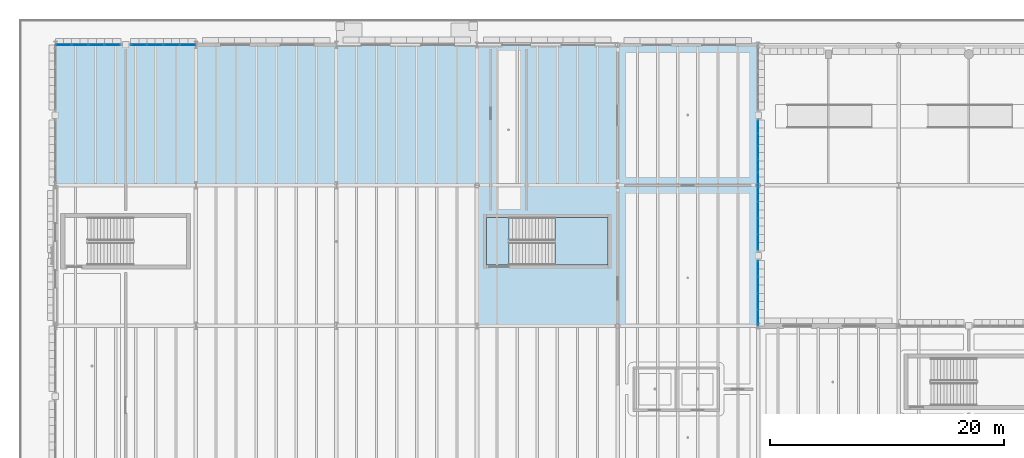
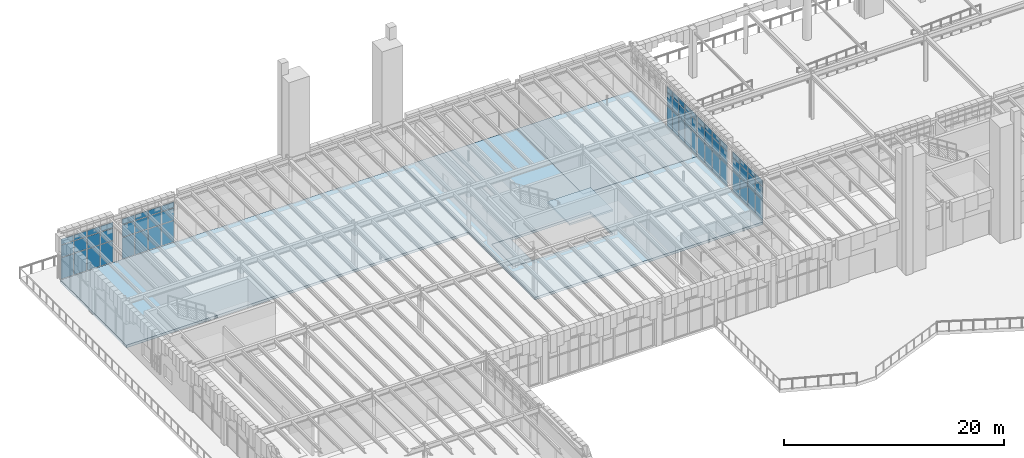
# One storey, part 44 of 103: 63 plates, 5 slabs, 6 elements without a shape of their own.
"""IFC4 building model written with IfcOpenShell, lengths in metres."""

from ifc_helpers import new_model, si_unit, direction, frame, origin, origin_2d, place, context, subcontext, project, spatial, polyline, rectangle, outline, extrude, material, layer, layer_set, type_object, element, aggregate, save


model = new_model("IFC4")

# Units and contexts
model_context = context("Model", 3, precision=1e-05, world=origin(), true_north=direction((0.0, 1.0)))
body_context = subcontext(model_context, "Body", "Model", "MODEL_VIEW")
ifc_project = project(units=[si_unit("LENGTHUNIT", "METRE"), si_unit("AREAUNIT", "SQUARE_METRE"), si_unit("VOLUMEUNIT", "CUBIC_METRE"), si_unit("PLANEANGLEUNIT", "RADIAN"), si_unit("MASSUNIT", "GRAM", prefix="KILO")], contexts=[model_context])

# Site, building, storey
site_placement = place(None, origin())
site = spatial("IfcSite", under=ifc_project, at=site_placement, CompositionType="ELEMENT")
building_placement = place(site_placement, origin())
building = spatial("IfcBuilding", under=site, at=building_placement, Name="Zlatogorsky Bluff Art Gallery", CompositionType="ELEMENT")
storey_placement = place(building_placement, origin())
storey = spatial("IfcBuildingStorey", under=building, at=storey_placement, Name="L00", CompositionType="ELEMENT", Elevation=0.0)

# Curtain wall, plates
ifc_material_1 = material(Name="Anodised Bronze Aluminium and Low-Iron Triple Glazing", Category="aluminium")
ifc_layer_1 = layer(ifc_material_1, 0.199951171875)
ifc_layer_set_1 = layer_set([ifc_layer_1], Name="Curtain Wall CW-02")
curtain_wall_type_1 = type_object("IfcCurtainWallType", Name="Curtain Wall CW-02", PredefinedType="USERDEFINED", material=ifc_layer_set_1)
curtain_wall_1_placement = place(storey_placement, origin())
curtain_wall_1 = element("IfcCurtainWall", 1, at=curtain_wall_1_placement, inside=storey, type_object=curtain_wall_type_1, Name="Unitised curtain wall CW-02 L00 N 0.10-A", ObjectType="CURTAIN WALL", PredefinedType="USERDEFINED")
ifc_material_2 = material(Name="Low-Iron Laminated Triple Glazing", Category="glass")
ifc_layer_2 = layer(ifc_material_2, 0.035888671875)
ifc_layer_set_2 = layer_set([ifc_layer_2], Name="Glazed Curtain Panel CWP-01")
plate_type = type_object("IfcPlateType", Name="Glazed Curtain Panel CWP-01", PredefinedType="CURTAIN_PANEL", material=ifc_layer_set_2)
plate_1_placement = place(storey_placement, frame((11.2861328125, 120.0, 0.06494140625), z_axis=(0.0, 0.0, 1.0), x_axis=(-1.0, 0.0, 0.0)))
plate_1 = element("IfcPlate", 2, at=plate_1_placement, type_object=plate_type, Name="CW-02 panel 1.1", PredefinedType="CURTAIN_PANEL", context=body_context, shape_type="SweptSolid", body=[
    extrude(rectangle(XDim=1.297607421875, YDim=0.035888671875, at=origin_2d()), origin(), (0.0, 0.0, 1.0), 2.3525390625),
])
plate_2_placement = place(storey_placement, frame((11.2861328125, 120.0, 2.482421875), z_axis=(0.0, 0.0, 1.0), x_axis=(-1.0, 0.0, 0.0)))
plate_2 = element("IfcPlate", 3, at=plate_2_placement, type_object=plate_type, Name="CW-02 panel 1.2", PredefinedType="CURTAIN_PANEL", context=body_context, shape_type="SweptSolid", body=[
    extrude(rectangle(XDim=1.297607421875, YDim=0.035888671875, at=origin_2d()), origin(), (0.0, 0.0, 1.0), 1.3349609375),
])
plate_3_placement = place(storey_placement, frame((11.2861328125, 120.0, 3.88232421875), z_axis=(0.0, 0.0, 1.0), x_axis=(-1.0, 0.0, 0.0)))
plate_3 = element("IfcPlate", 4, at=plate_3_placement, type_object=plate_type, Name="CW-02 panel 1.3", PredefinedType="CURTAIN_PANEL", context=body_context, shape_type="SweptSolid", body=[
    extrude(rectangle(XDim=1.297607421875, YDim=0.035888671875, at=origin_2d()), origin(), (0.0, 0.0, 1.0), 0.612548828125),
])
plate_4_placement = place(storey_placement, frame((9.907470703125, 120.0, 0.06494140625), z_axis=(0.0, 0.0, 1.0), x_axis=(-1.0, 0.0, 0.0)))
plate_4 = element("IfcPlate", 5, at=plate_4_placement, type_object=plate_type, Name="CW-02 panel 2.1", PredefinedType="CURTAIN_PANEL", context=body_context, shape_type="SweptSolid", body=[
    extrude(rectangle(XDim=1.330078125, YDim=0.035888671875, at=origin_2d()), origin(), (0.0, 0.0, 1.0), 2.3525390625),
])
plate_5_placement = place(storey_placement, frame((9.907470703125, 120.0, 2.482421875), z_axis=(0.0, 0.0, 1.0), x_axis=(-1.0, 0.0, 0.0)))
plate_5 = element("IfcPlate", 6, at=plate_5_placement, type_object=plate_type, Name="CW-02 panel 2.2", PredefinedType="CURTAIN_PANEL", context=body_context, shape_type="SweptSolid", body=[
    extrude(rectangle(XDim=1.330078125, YDim=0.035888671875, at=origin_2d()), origin(), (0.0, 0.0, 1.0), 1.3349609375),
])
plate_6_placement = place(storey_placement, frame((9.907470703125, 120.0, 3.88232421875), z_axis=(0.0, 0.0, 1.0), x_axis=(-1.0, 0.0, 0.0)))
plate_6 = element("IfcPlate", 7, at=plate_6_placement, type_object=plate_type, Name="CW-02 panel 2.3", PredefinedType="CURTAIN_PANEL", context=body_context, shape_type="SweptSolid", body=[
    extrude(rectangle(XDim=1.330078125, YDim=0.035888671875, at=origin_2d()), origin(), (0.0, 0.0, 1.0), 0.612548828125),
])
plate_7_placement = place(storey_placement, frame((8.512451171875, 120.0, 0.06494140625), z_axis=(0.0, 0.0, 1.0), x_axis=(-1.0, 0.0, 0.0)))
plate_7 = element("IfcPlate", 8, at=plate_7_placement, type_object=plate_type, Name="CW-02 panel 3.1", PredefinedType="CURTAIN_PANEL", context=body_context, shape_type="SweptSolid", body=[
    extrude(rectangle(XDim=1.330078125, YDim=0.035888671875, at=origin_2d()), origin(), (0.0, 0.0, 1.0), 2.3525390625),
])
plate_8_placement = place(storey_placement, frame((8.512451171875, 120.0, 2.482421875), z_axis=(0.0, 0.0, 1.0), x_axis=(-1.0, 0.0, 0.0)))
plate_8 = element("IfcPlate", 9, at=plate_8_placement, type_object=plate_type, Name="CW-02 panel 3.2", PredefinedType="CURTAIN_PANEL", context=body_context, shape_type="SweptSolid", body=[
    extrude(rectangle(XDim=1.330078125, YDim=0.035888671875, at=origin_2d()), origin(), (0.0, 0.0, 1.0), 1.3349609375),
])
plate_9_placement = place(storey_placement, frame((8.512451171875, 120.0, 3.88232421875), z_axis=(0.0, 0.0, 1.0), x_axis=(-1.0, 0.0, 0.0)))
plate_9 = element("IfcPlate", 10, at=plate_9_placement, type_object=plate_type, Name="CW-02 panel 3.3", PredefinedType="CURTAIN_PANEL", context=body_context, shape_type="SweptSolid", body=[
    extrude(rectangle(XDim=1.330078125, YDim=0.035888671875, at=origin_2d()), origin(), (0.0, 0.0, 1.0), 0.612548828125),
])
plate_10_placement = place(storey_placement, frame((7.1337890625, 120.0, 0.06494140625), z_axis=(0.0, 0.0, 1.0), x_axis=(-1.0, 0.0, 0.0)))
plate_10 = element("IfcPlate", 11, at=plate_10_placement, type_object=plate_type, Name="CW-02 panel 4.1", PredefinedType="CURTAIN_PANEL", context=body_context, shape_type="SweptSolid", body=[
    extrude(rectangle(XDim=1.297607421875, YDim=0.035888671875, at=origin_2d()), origin(), (0.0, 0.0, 1.0), 2.3525390625),
])
plate_11_placement = place(storey_placement, frame((7.1337890625, 120.0, 2.482421875), z_axis=(0.0, 0.0, 1.0), x_axis=(-1.0, 0.0, 0.0)))
plate_11 = element("IfcPlate", 12, at=plate_11_placement, type_object=plate_type, Name="CW-02 panel 4.2", PredefinedType="CURTAIN_PANEL", context=body_context, shape_type="SweptSolid", body=[
    extrude(rectangle(XDim=1.297607421875, YDim=0.035888671875, at=origin_2d()), origin(), (0.0, 0.0, 1.0), 1.3349609375),
])
plate_12_placement = place(storey_placement, frame((7.1337890625, 120.0, 3.88232421875), z_axis=(0.0, 0.0, 1.0), x_axis=(-1.0, 0.0, 0.0)))
plate_12 = element("IfcPlate", 13, at=plate_12_placement, type_object=plate_type, Name="CW-02 panel 4.3", PredefinedType="CURTAIN_PANEL", context=body_context, shape_type="SweptSolid", body=[
    extrude(rectangle(XDim=1.297607421875, YDim=0.035888671875, at=origin_2d()), origin(), (0.0, 0.0, 1.0), 0.612548828125),
])
aggregate(curtain_wall_1, [plate_1, plate_2, plate_3, plate_4, plate_5, plate_6, plate_7, plate_8, plate_9, plate_10, plate_11, plate_12])

curtain_wall_2_placement = place(storey_placement, origin())
curtain_wall_2 = element("IfcCurtainWall", 14, at=curtain_wall_2_placement, inside=storey, type_object=curtain_wall_type_1, Name="Unitised curtain wall CW-02 L00 N 0.10-B", ObjectType="CURTAIN WALL", PredefinedType="USERDEFINED")
plate_13_placement = place(storey_placement, frame((4.8662109375, 120.0, 0.06494140625), z_axis=(0.0, 0.0, 1.0), x_axis=(-1.0, 0.0, 0.0)))
plate_13 = element("IfcPlate", 15, at=plate_13_placement, type_object=plate_type, Name="CW-02 panel 1.1", PredefinedType="CURTAIN_PANEL", context=body_context, shape_type="SweptSolid", body=[
    extrude(rectangle(XDim=1.297607421875, YDim=0.035888671875, at=origin_2d()), origin(), (0.0, 0.0, 1.0), 2.3525390625),
])
plate_14_placement = place(storey_placement, frame((4.8662109375, 120.0, 2.482421875), z_axis=(0.0, 0.0, 1.0), x_axis=(-1.0, 0.0, 0.0)))
plate_14 = element("IfcPlate", 16, at=plate_14_placement, type_object=plate_type, Name="CW-02 panel 1.2", PredefinedType="CURTAIN_PANEL", context=body_context, shape_type="SweptSolid", body=[
    extrude(rectangle(XDim=1.297607421875, YDim=0.035888671875, at=origin_2d()), origin(), (0.0, 0.0, 1.0), 1.3349609375),
])
plate_15_placement = place(storey_placement, frame((4.8662109375, 120.0, 3.88232421875), z_axis=(0.0, 0.0, 1.0), x_axis=(-1.0, 0.0, 0.0)))
plate_15 = element("IfcPlate", 17, at=plate_15_placement, type_object=plate_type, Name="CW-02 panel 1.3", PredefinedType="CURTAIN_PANEL", context=body_context, shape_type="SweptSolid", body=[
    extrude(rectangle(XDim=1.297607421875, YDim=0.035888671875, at=origin_2d()), origin(), (0.0, 0.0, 1.0), 0.612548828125),
])
plate_16_placement = place(storey_placement, frame((3.487548828125, 120.0, 0.06494140625), z_axis=(0.0, 0.0, 1.0), x_axis=(-1.0, 0.0, 0.0)))
plate_16 = element("IfcPlate", 18, at=plate_16_placement, type_object=plate_type, Name="CW-02 panel 2.1", PredefinedType="CURTAIN_PANEL", context=body_context, shape_type="SweptSolid", body=[
    extrude(rectangle(XDim=1.330078125, YDim=0.035888671875, at=origin_2d()), origin(), (0.0, 0.0, 1.0), 2.3525390625),
])
plate_17_placement = place(storey_placement, frame((3.487548828125, 120.0, 2.482421875), z_axis=(0.0, 0.0, 1.0), x_axis=(-1.0, 0.0, 0.0)))
plate_17 = element("IfcPlate", 19, at=plate_17_placement, type_object=plate_type, Name="CW-02 panel 2.2", PredefinedType="CURTAIN_PANEL", context=body_context, shape_type="SweptSolid", body=[
    extrude(rectangle(XDim=1.330078125, YDim=0.035888671875, at=origin_2d()), origin(), (0.0, 0.0, 1.0), 1.3349609375),
])
plate_18_placement = place(storey_placement, frame((3.487548828125, 120.0, 3.88232421875), z_axis=(0.0, 0.0, 1.0), x_axis=(-1.0, 0.0, 0.0)))
plate_18 = element("IfcPlate", 20, at=plate_18_placement, type_object=plate_type, Name="CW-02 panel 2.3", PredefinedType="CURTAIN_PANEL", context=body_context, shape_type="SweptSolid", body=[
    extrude(rectangle(XDim=1.330078125, YDim=0.035888671875, at=origin_2d()), origin(), (0.0, 0.0, 1.0), 0.612548828125),
])
plate_19_placement = place(storey_placement, frame((2.092529296875, 120.0, 0.06494140625), z_axis=(0.0, 0.0, 1.0), x_axis=(-1.0, 0.0, 0.0)))
plate_19 = element("IfcPlate", 21, at=plate_19_placement, type_object=plate_type, Name="CW-02 panel 3.1", PredefinedType="CURTAIN_PANEL", context=body_context, shape_type="SweptSolid", body=[
    extrude(rectangle(XDim=1.330078125, YDim=0.035888671875, at=origin_2d()), origin(), (0.0, 0.0, 1.0), 2.3525390625),
])
plate_20_placement = place(storey_placement, frame((2.092529296875, 120.0, 2.482421875), z_axis=(0.0, 0.0, 1.0), x_axis=(-1.0, 0.0, 0.0)))
plate_20 = element("IfcPlate", 22, at=plate_20_placement, type_object=plate_type, Name="CW-02 panel 3.2", PredefinedType="CURTAIN_PANEL", context=body_context, shape_type="SweptSolid", body=[
    extrude(rectangle(XDim=1.330078125, YDim=0.035888671875, at=origin_2d()), origin(), (0.0, 0.0, 1.0), 1.3349609375),
])
plate_21_placement = place(storey_placement, frame((2.092529296875, 120.0, 3.88232421875), z_axis=(0.0, 0.0, 1.0), x_axis=(-1.0, 0.0, 0.0)))
plate_21 = element("IfcPlate", 23, at=plate_21_placement, type_object=plate_type, Name="CW-02 panel 3.3", PredefinedType="CURTAIN_PANEL", context=body_context, shape_type="SweptSolid", body=[
    extrude(rectangle(XDim=1.330078125, YDim=0.035888671875, at=origin_2d()), origin(), (0.0, 0.0, 1.0), 0.612548828125),
])
plate_22_placement = place(storey_placement, frame((0.7138671875, 120.0, 0.06494140625), z_axis=(0.0, 0.0, 1.0), x_axis=(-1.0, 0.0, 0.0)))
plate_22 = element("IfcPlate", 24, at=plate_22_placement, type_object=plate_type, Name="CW-02 panel 4.1", PredefinedType="CURTAIN_PANEL", context=body_context, shape_type="SweptSolid", body=[
    extrude(rectangle(XDim=1.297607421875, YDim=0.035888671875, at=origin_2d()), origin(), (0.0, 0.0, 1.0), 2.3525390625),
])
plate_23_placement = place(storey_placement, frame((0.7138671875, 120.0, 2.482421875), z_axis=(0.0, 0.0, 1.0), x_axis=(-1.0, 0.0, 0.0)))
plate_23 = element("IfcPlate", 25, at=plate_23_placement, type_object=plate_type, Name="CW-02 panel 4.2", PredefinedType="CURTAIN_PANEL", context=body_context, shape_type="SweptSolid", body=[
    extrude(rectangle(XDim=1.297607421875, YDim=0.035888671875, at=origin_2d()), origin(), (0.0, 0.0, 1.0), 1.3349609375),
])
plate_24_placement = place(storey_placement, frame((0.7138671875, 120.0, 3.88232421875), z_axis=(0.0, 0.0, 1.0), x_axis=(-1.0, 0.0, 0.0)))
plate_24 = element("IfcPlate", 26, at=plate_24_placement, type_object=plate_type, Name="CW-02 panel 4.3", PredefinedType="CURTAIN_PANEL", context=body_context, shape_type="SweptSolid", body=[
    extrude(rectangle(XDim=1.297607421875, YDim=0.035888671875, at=origin_2d()), origin(), (0.0, 0.0, 1.0), 0.612548828125),
])
aggregate(curtain_wall_2, [plate_13, plate_14, plate_15, plate_16, plate_17, plate_18, plate_19, plate_20, plate_21, plate_22, plate_23, plate_24])

ifc_layer_3 = layer(ifc_material_1, 0.179931640625)
ifc_layer_set_3 = layer_set([ifc_layer_3], Name="Curtain Wall CW-01")
curtain_wall_type_2 = type_object("IfcCurtainWallType", Name="Curtain Wall CW-01", PredefinedType="USERDEFINED", material=ifc_layer_set_3)
curtain_wall_3_placement = place(storey_placement, origin())
curtain_wall_3 = element("IfcCurtainWall", 27, at=curtain_wall_3_placement, inside=storey, type_object=curtain_wall_type_2, Name="Unitised curtain wall CW-01 L00 E 4.9-A", ObjectType="CURTAIN WALL", PredefinedType="USERDEFINED")
plate_25_placement = place(storey_placement, frame((60.0, 96.7138671875, 0.06494140625), z_axis=(0.0, 0.0, 1.0), x_axis=(0.0, 1.0, 0.0)))
plate_25 = element("IfcPlate", 28, at=plate_25_placement, type_object=plate_type, Name="CW-01 panel 1.1", PredefinedType="CURTAIN_PANEL", context=body_context, shape_type="SweptSolid", body=[
    extrude(rectangle(XDim=1.297607421875, YDim=0.035888671875, at=origin_2d()), origin(), (0.0, 0.0, 1.0), 2.3525390625),
])
plate_26_placement = place(storey_placement, frame((60.0, 96.7138671875, 2.482421875), z_axis=(0.0, 0.0, 1.0), x_axis=(0.0, 1.0, 0.0)))
plate_26 = element("IfcPlate", 29, at=plate_26_placement, type_object=plate_type, Name="CW-01 panel 1.2", PredefinedType="CURTAIN_PANEL", context=body_context, shape_type="SweptSolid", body=[
    extrude(rectangle(XDim=1.297607421875, YDim=0.035888671875, at=origin_2d()), origin(), (0.0, 0.0, 1.0), 1.3349609375),
])
plate_27_placement = place(storey_placement, frame((60.0, 96.7138671875, 3.88232421875), z_axis=(0.0, 0.0, 1.0), x_axis=(0.0, 1.0, 0.0)))
plate_27 = element("IfcPlate", 30, at=plate_27_placement, type_object=plate_type, Name="CW-01 panel 1.3", PredefinedType="CURTAIN_PANEL", context=body_context, shape_type="SweptSolid", body=[
    extrude(rectangle(XDim=1.297607421875, YDim=0.035888671875, at=origin_2d()), origin(), (0.0, 0.0, 1.0), 0.612548828125),
])
plate_28_placement = place(storey_placement, frame((60.0, 98.092529296875, 0.06494140625), z_axis=(0.0, 0.0, 1.0), x_axis=(0.0, 1.0, 0.0)))
plate_28 = element("IfcPlate", 31, at=plate_28_placement, type_object=plate_type, Name="CW-01 panel 2.1", PredefinedType="CURTAIN_PANEL", context=body_context, shape_type="SweptSolid", body=[
    extrude(rectangle(XDim=1.330078125, YDim=0.035888671875, at=origin_2d()), origin(), (0.0, 0.0, 1.0), 2.3525390625),
])
plate_29_placement = place(storey_placement, frame((60.0, 98.092529296875, 2.482421875), z_axis=(0.0, 0.0, 1.0), x_axis=(0.0, 1.0, 0.0)))
plate_29 = element("IfcPlate", 32, at=plate_29_placement, type_object=plate_type, Name="CW-01 panel 2.2", PredefinedType="CURTAIN_PANEL", context=body_context, shape_type="SweptSolid", body=[
    extrude(rectangle(XDim=1.330078125, YDim=0.035888671875, at=origin_2d()), origin(), (0.0, 0.0, 1.0), 1.3349609375),
])
plate_30_placement = place(storey_placement, frame((60.0, 98.092529296875, 3.88232421875), z_axis=(0.0, 0.0, 1.0), x_axis=(0.0, 1.0, 0.0)))
plate_30 = element("IfcPlate", 33, at=plate_30_placement, type_object=plate_type, Name="CW-01 panel 2.3", PredefinedType="CURTAIN_PANEL", context=body_context, shape_type="SweptSolid", body=[
    extrude(rectangle(XDim=1.330078125, YDim=0.035888671875, at=origin_2d()), origin(), (0.0, 0.0, 1.0), 0.612548828125),
])
plate_31_placement = place(storey_placement, frame((60.0, 99.487548828125, 0.06494140625), z_axis=(0.0, 0.0, 1.0), x_axis=(0.0, 1.0, 0.0)))
plate_31 = element("IfcPlate", 34, at=plate_31_placement, type_object=plate_type, Name="CW-01 panel 3.1", PredefinedType="CURTAIN_PANEL", context=body_context, shape_type="SweptSolid", body=[
    extrude(rectangle(XDim=1.330078125, YDim=0.035888671875, at=origin_2d()), origin(), (0.0, 0.0, 1.0), 2.3525390625),
])
plate_32_placement = place(storey_placement, frame((60.0, 99.487548828125, 2.482421875), z_axis=(0.0, 0.0, 1.0), x_axis=(0.0, 1.0, 0.0)))
plate_32 = element("IfcPlate", 35, at=plate_32_placement, type_object=plate_type, Name="CW-01 panel 3.2", PredefinedType="CURTAIN_PANEL", context=body_context, shape_type="SweptSolid", body=[
    extrude(rectangle(XDim=1.330078125, YDim=0.035888671875, at=origin_2d()), origin(), (0.0, 0.0, 1.0), 1.3349609375),
])
plate_33_placement = place(storey_placement, frame((60.0, 99.487548828125, 3.88232421875), z_axis=(0.0, 0.0, 1.0), x_axis=(0.0, 1.0, 0.0)))
plate_33 = element("IfcPlate", 36, at=plate_33_placement, type_object=plate_type, Name="CW-01 panel 3.3", PredefinedType="CURTAIN_PANEL", context=body_context, shape_type="SweptSolid", body=[
    extrude(rectangle(XDim=1.330078125, YDim=0.035888671875, at=origin_2d()), origin(), (0.0, 0.0, 1.0), 0.612548828125),
])
plate_34_placement = place(storey_placement, frame((60.0, 100.8662109375, 0.06494140625), z_axis=(0.0, 0.0, 1.0), x_axis=(0.0, 1.0, 0.0)))
plate_34 = element("IfcPlate", 37, at=plate_34_placement, type_object=plate_type, Name="CW-01 panel 4.1", PredefinedType="CURTAIN_PANEL", context=body_context, shape_type="SweptSolid", body=[
    extrude(rectangle(XDim=1.297607421875, YDim=0.035888671875, at=origin_2d()), origin(), (0.0, 0.0, 1.0), 2.3525390625),
])
plate_35_placement = place(storey_placement, frame((60.0, 100.8662109375, 2.482421875), z_axis=(0.0, 0.0, 1.0), x_axis=(0.0, 1.0, 0.0)))
plate_35 = element("IfcPlate", 38, at=plate_35_placement, type_object=plate_type, Name="CW-01 panel 4.2", PredefinedType="CURTAIN_PANEL", context=body_context, shape_type="SweptSolid", body=[
    extrude(rectangle(XDim=1.297607421875, YDim=0.035888671875, at=origin_2d()), origin(), (0.0, 0.0, 1.0), 1.3349609375),
])
plate_36_placement = place(storey_placement, frame((60.0, 100.8662109375, 3.88232421875), z_axis=(0.0, 0.0, 1.0), x_axis=(0.0, 1.0, 0.0)))
plate_36 = element("IfcPlate", 39, at=plate_36_placement, type_object=plate_type, Name="CW-01 panel 4.3", PredefinedType="CURTAIN_PANEL", context=body_context, shape_type="SweptSolid", body=[
    extrude(rectangle(XDim=1.297607421875, YDim=0.035888671875, at=origin_2d()), origin(), (0.0, 0.0, 1.0), 0.612548828125),
])
aggregate(curtain_wall_3, [plate_25, plate_26, plate_27, plate_28, plate_29, plate_30, plate_31, plate_32, plate_33, plate_34, plate_35, plate_36])

curtain_wall_4_placement = place(storey_placement, origin())
curtain_wall_4 = element("IfcCurtainWall", 40, at=curtain_wall_4_placement, inside=storey, type_object=curtain_wall_type_2, Name="Unitised curtain wall CW-01 L00 E 4.9-B", ObjectType="CURTAIN WALL", PredefinedType="USERDEFINED")
plate_37_placement = place(storey_placement, frame((60.0, 103.1337890625, 0.06494140625), z_axis=(0.0, 0.0, 1.0), x_axis=(0.0, 1.0, 0.0)))
plate_37 = element("IfcPlate", 41, at=plate_37_placement, type_object=plate_type, Name="CW-01 panel 1.1", PredefinedType="CURTAIN_PANEL", context=body_context, shape_type="SweptSolid", body=[
    extrude(rectangle(XDim=1.297607421875, YDim=0.035888671875, at=origin_2d()), origin(), (0.0, 0.0, 1.0), 2.3525390625),
])
plate_38_placement = place(storey_placement, frame((60.0, 103.1337890625, 2.482421875), z_axis=(0.0, 0.0, 1.0), x_axis=(0.0, 1.0, 0.0)))
plate_38 = element("IfcPlate", 42, at=plate_38_placement, type_object=plate_type, Name="CW-01 panel 1.2", PredefinedType="CURTAIN_PANEL", context=body_context, shape_type="SweptSolid", body=[
    extrude(rectangle(XDim=1.297607421875, YDim=0.035888671875, at=origin_2d()), origin(), (0.0, 0.0, 1.0), 1.3349609375),
])
plate_39_placement = place(storey_placement, frame((60.0, 103.1337890625, 3.88232421875), z_axis=(0.0, 0.0, 1.0), x_axis=(0.0, 1.0, 0.0)))
plate_39 = element("IfcPlate", 43, at=plate_39_placement, type_object=plate_type, Name="CW-01 panel 1.3", PredefinedType="CURTAIN_PANEL", context=body_context, shape_type="SweptSolid", body=[
    extrude(rectangle(XDim=1.297607421875, YDim=0.035888671875, at=origin_2d()), origin(), (0.0, 0.0, 1.0), 0.612548828125),
])
plate_40_placement = place(storey_placement, frame((60.0, 104.512451171875, 0.06494140625), z_axis=(0.0, 0.0, 1.0), x_axis=(0.0, 1.0, 0.0)))
plate_40 = element("IfcPlate", 44, at=plate_40_placement, type_object=plate_type, Name="CW-01 panel 2.1", PredefinedType="CURTAIN_PANEL", context=body_context, shape_type="SweptSolid", body=[
    extrude(rectangle(XDim=1.330078125, YDim=0.035888671875, at=origin_2d()), origin(), (0.0, 0.0, 1.0), 2.3525390625),
])
plate_41_placement = place(storey_placement, frame((60.0, 104.512451171875, 2.482421875), z_axis=(0.0, 0.0, 1.0), x_axis=(0.0, 1.0, 0.0)))
plate_41 = element("IfcPlate", 45, at=plate_41_placement, type_object=plate_type, Name="CW-01 panel 2.2", PredefinedType="CURTAIN_PANEL", context=body_context, shape_type="SweptSolid", body=[
    extrude(rectangle(XDim=1.330078125, YDim=0.035888671875, at=origin_2d()), origin(), (0.0, 0.0, 1.0), 1.3349609375),
])
plate_42_placement = place(storey_placement, frame((60.0, 104.512451171875, 3.88232421875), z_axis=(0.0, 0.0, 1.0), x_axis=(0.0, 1.0, 0.0)))
plate_42 = element("IfcPlate", 46, at=plate_42_placement, type_object=plate_type, Name="CW-01 panel 2.3", PredefinedType="CURTAIN_PANEL", context=body_context, shape_type="SweptSolid", body=[
    extrude(rectangle(XDim=1.330078125, YDim=0.035888671875, at=origin_2d()), origin(), (0.0, 0.0, 1.0), 0.612548828125),
])
plate_43_placement = place(storey_placement, frame((60.0, 105.907470703125, 0.06494140625), z_axis=(0.0, 0.0, 1.0), x_axis=(0.0, 1.0, 0.0)))
plate_43 = element("IfcPlate", 47, at=plate_43_placement, type_object=plate_type, Name="CW-01 panel 3.1", PredefinedType="CURTAIN_PANEL", context=body_context, shape_type="SweptSolid", body=[
    extrude(rectangle(XDim=1.330078125, YDim=0.035888671875, at=origin_2d()), origin(), (0.0, 0.0, 1.0), 2.3525390625),
])
plate_44_placement = place(storey_placement, frame((60.0, 105.907470703125, 2.482421875), z_axis=(0.0, 0.0, 1.0), x_axis=(0.0, 1.0, 0.0)))
plate_44 = element("IfcPlate", 48, at=plate_44_placement, type_object=plate_type, Name="CW-01 panel 3.2", PredefinedType="CURTAIN_PANEL", context=body_context, shape_type="SweptSolid", body=[
    extrude(rectangle(XDim=1.330078125, YDim=0.035888671875, at=origin_2d()), origin(), (0.0, 0.0, 1.0), 1.3349609375),
])
plate_45_placement = place(storey_placement, frame((60.0, 105.907470703125, 3.88232421875), z_axis=(0.0, 0.0, 1.0), x_axis=(0.0, 1.0, 0.0)))
plate_45 = element("IfcPlate", 49, at=plate_45_placement, type_object=plate_type, Name="CW-01 panel 3.3", PredefinedType="CURTAIN_PANEL", context=body_context, shape_type="SweptSolid", body=[
    extrude(rectangle(XDim=1.330078125, YDim=0.035888671875, at=origin_2d()), origin(), (0.0, 0.0, 1.0), 0.612548828125),
])
plate_46_placement = place(storey_placement, frame((60.0, 107.2861328125, 0.06494140625), z_axis=(0.0, 0.0, 1.0), x_axis=(0.0, 1.0, 0.0)))
plate_46 = element("IfcPlate", 50, at=plate_46_placement, type_object=plate_type, Name="CW-01 panel 4.1", PredefinedType="CURTAIN_PANEL", context=body_context, shape_type="SweptSolid", body=[
    extrude(rectangle(XDim=1.297607421875, YDim=0.035888671875, at=origin_2d()), origin(), (0.0, 0.0, 1.0), 2.3525390625),
])
plate_47_placement = place(storey_placement, frame((60.0, 107.2861328125, 2.482421875), z_axis=(0.0, 0.0, 1.0), x_axis=(0.0, 1.0, 0.0)))
plate_47 = element("IfcPlate", 51, at=plate_47_placement, type_object=plate_type, Name="CW-01 panel 4.2", PredefinedType="CURTAIN_PANEL", context=body_context, shape_type="SweptSolid", body=[
    extrude(rectangle(XDim=1.297607421875, YDim=0.035888671875, at=origin_2d()), origin(), (0.0, 0.0, 1.0), 1.3349609375),
])
plate_48_placement = place(storey_placement, frame((60.0, 107.2861328125, 3.88232421875), z_axis=(0.0, 0.0, 1.0), x_axis=(0.0, 1.0, 0.0)))
plate_48 = element("IfcPlate", 52, at=plate_48_placement, type_object=plate_type, Name="CW-01 panel 4.3", PredefinedType="CURTAIN_PANEL", context=body_context, shape_type="SweptSolid", body=[
    extrude(rectangle(XDim=1.297607421875, YDim=0.035888671875, at=origin_2d()), origin(), (0.0, 0.0, 1.0), 0.612548828125),
])
aggregate(curtain_wall_4, [plate_37, plate_38, plate_39, plate_40, plate_41, plate_42, plate_43, plate_44, plate_45, plate_46, plate_47, plate_48])

ifc_layer_4 = layer(ifc_material_1, 0.179931640625)
ifc_layer_set_4 = layer_set([ifc_layer_4], Name="Curtain Wall CW-03")
curtain_wall_type_3 = type_object("IfcCurtainWallType", Name="Curtain Wall CW-03", PredefinedType="USERDEFINED", material=ifc_layer_set_4)
curtain_wall_5_placement = place(storey_placement, origin())
curtain_wall_5 = element("IfcCurtainWall", 53, at=curtain_wall_5_placement, inside=storey, type_object=curtain_wall_type_3, Name="Unitised curtain wall CW-03 L00 E 4.10-A", ObjectType="CURTAIN WALL", PredefinedType="USERDEFINED")
plate_49_placement = place(storey_placement, frame((60.0, 108.57421875, 0.06494140625), z_axis=(0.0, 0.0, 1.0), x_axis=(0.0, 1.0, 0.0)))
plate_49 = element("IfcPlate", 54, at=plate_49_placement, type_object=plate_type, Name="CW-03 panel 1.1", PredefinedType="CURTAIN_PANEL", context=body_context, shape_type="SweptSolid", body=[
    extrude(rectangle(XDim=1.0185546875, YDim=0.035888671875, at=origin_2d()), origin(), (0.0, 0.0, 1.0), 2.3525390625),
])
plate_50_placement = place(storey_placement, frame((60.0, 108.57421875, 2.482421875), z_axis=(0.0, 0.0, 1.0), x_axis=(0.0, 1.0, 0.0)))
plate_50 = element("IfcPlate", 55, at=plate_50_placement, type_object=plate_type, Name="CW-03 panel 1.2", PredefinedType="CURTAIN_PANEL", context=body_context, shape_type="SweptSolid", body=[
    extrude(rectangle(XDim=1.0185546875, YDim=0.035888671875, at=origin_2d()), origin(), (0.0, 0.0, 1.0), 1.3349609375),
])
plate_51_placement = place(storey_placement, frame((60.0, 108.57421875, 3.88232421875), z_axis=(0.0, 0.0, 1.0), x_axis=(0.0, 1.0, 0.0)))
plate_51 = element("IfcPlate", 56, at=plate_51_placement, type_object=plate_type, Name="CW-03 panel 1.3", PredefinedType="CURTAIN_PANEL", context=body_context, shape_type="SweptSolid", body=[
    extrude(rectangle(XDim=1.0185546875, YDim=0.035888671875, at=origin_2d()), origin(), (0.0, 0.0, 1.0), 0.612548828125),
])
plate_52_placement = place(storey_placement, frame((60.0, 109.674072265625, 0.06494140625), z_axis=(0.0, 0.0, 1.0), x_axis=(0.0, 1.0, 0.0)))
plate_52 = element("IfcPlate", 57, at=plate_52_placement, type_object=plate_type, Name="CW-03 panel 2.1", PredefinedType="CURTAIN_PANEL", context=body_context, shape_type="SweptSolid", body=[
    extrude(rectangle(XDim=1.051025390625, YDim=0.035888671875, at=origin_2d()), origin(), (0.0, 0.0, 1.0), 2.3525390625),
])
plate_53_placement = place(storey_placement, frame((60.0, 109.674072265625, 2.482421875), z_axis=(0.0, 0.0, 1.0), x_axis=(0.0, 1.0, 0.0)))
plate_53 = element("IfcPlate", 58, at=plate_53_placement, type_object=plate_type, Name="CW-03 panel 2.2", PredefinedType="CURTAIN_PANEL", context=body_context, shape_type="SweptSolid", body=[
    extrude(rectangle(XDim=1.051025390625, YDim=0.035888671875, at=origin_2d()), origin(), (0.0, 0.0, 1.0), 1.3349609375),
])
plate_54_placement = place(storey_placement, frame((60.0, 109.674072265625, 3.88232421875), z_axis=(0.0, 0.0, 1.0), x_axis=(0.0, 1.0, 0.0)))
plate_54 = element("IfcPlate", 59, at=plate_54_placement, type_object=plate_type, Name="CW-03 panel 2.3", PredefinedType="CURTAIN_PANEL", context=body_context, shape_type="SweptSolid", body=[
    extrude(rectangle(XDim=1.051025390625, YDim=0.035888671875, at=origin_2d()), origin(), (0.0, 0.0, 1.0), 0.612548828125),
])
plate_55_placement = place(storey_placement, frame((60.0, 110.7900390625, 0.06494140625), z_axis=(0.0, 0.0, 1.0), x_axis=(0.0, 1.0, 0.0)))
plate_55 = element("IfcPlate", 60, at=plate_55_placement, type_object=plate_type, Name="CW-03 panel 3.1", PredefinedType="CURTAIN_PANEL", context=body_context, shape_type="SweptSolid", body=[
    extrude(rectangle(XDim=1.051025390625, YDim=0.035888671875, at=origin_2d()), origin(), (0.0, 0.0, 1.0), 2.3525390625),
])
plate_56_placement = place(storey_placement, frame((60.0, 110.7900390625, 2.482421875), z_axis=(0.0, 0.0, 1.0), x_axis=(0.0, 1.0, 0.0)))
plate_56 = element("IfcPlate", 61, at=plate_56_placement, type_object=plate_type, Name="CW-03 panel 3.2", PredefinedType="CURTAIN_PANEL", context=body_context, shape_type="SweptSolid", body=[
    extrude(rectangle(XDim=1.051025390625, YDim=0.035888671875, at=origin_2d()), origin(), (0.0, 0.0, 1.0), 1.3349609375),
])
plate_57_placement = place(storey_placement, frame((60.0, 110.7900390625, 3.88232421875), z_axis=(0.0, 0.0, 1.0), x_axis=(0.0, 1.0, 0.0)))
plate_57 = element("IfcPlate", 62, at=plate_57_placement, type_object=plate_type, Name="CW-03 panel 3.3", PredefinedType="CURTAIN_PANEL", context=body_context, shape_type="SweptSolid", body=[
    extrude(rectangle(XDim=1.051025390625, YDim=0.035888671875, at=origin_2d()), origin(), (0.0, 0.0, 1.0), 0.612548828125),
])
plate_58_placement = place(storey_placement, frame((60.0, 111.906005859375, 0.06494140625), z_axis=(0.0, 0.0, 1.0), x_axis=(0.0, 1.0, 0.0)))
plate_58 = element("IfcPlate", 63, at=plate_58_placement, type_object=plate_type, Name="CW-03 panel 4.1", PredefinedType="CURTAIN_PANEL", context=body_context, shape_type="SweptSolid", body=[
    extrude(rectangle(XDim=1.051025390625, YDim=0.035888671875, at=origin_2d()), origin(), (0.0, 0.0, 1.0), 2.3525390625),
])
plate_59_placement = place(storey_placement, frame((60.0, 111.906005859375, 2.482421875), z_axis=(0.0, 0.0, 1.0), x_axis=(0.0, 1.0, 0.0)))
plate_59 = element("IfcPlate", 64, at=plate_59_placement, type_object=plate_type, Name="CW-03 panel 4.2", PredefinedType="CURTAIN_PANEL", context=body_context, shape_type="SweptSolid", body=[
    extrude(rectangle(XDim=1.051025390625, YDim=0.035888671875, at=origin_2d()), origin(), (0.0, 0.0, 1.0), 1.3349609375),
])
plate_60_placement = place(storey_placement, frame((60.0, 111.906005859375, 3.88232421875), z_axis=(0.0, 0.0, 1.0), x_axis=(0.0, 1.0, 0.0)))
plate_60 = element("IfcPlate", 65, at=plate_60_placement, type_object=plate_type, Name="CW-03 panel 4.3", PredefinedType="CURTAIN_PANEL", context=body_context, shape_type="SweptSolid", body=[
    extrude(rectangle(XDim=1.051025390625, YDim=0.035888671875, at=origin_2d()), origin(), (0.0, 0.0, 1.0), 0.612548828125),
])
plate_61_placement = place(storey_placement, frame((60.0, 113.005859375, 0.06494140625), z_axis=(0.0, 0.0, 1.0), x_axis=(0.0, 1.0, 0.0)))
plate_61 = element("IfcPlate", 66, at=plate_61_placement, type_object=plate_type, Name="CW-03 panel 5.1", PredefinedType="CURTAIN_PANEL", context=body_context, shape_type="SweptSolid", body=[
    extrude(rectangle(XDim=1.0185546875, YDim=0.035888671875, at=origin_2d()), origin(), (0.0, 0.0, 1.0), 2.3525390625),
])
plate_62_placement = place(storey_placement, frame((60.0, 113.005859375, 2.482421875), z_axis=(0.0, 0.0, 1.0), x_axis=(0.0, 1.0, 0.0)))
plate_62 = element("IfcPlate", 67, at=plate_62_placement, type_object=plate_type, Name="CW-03 panel 5.2", PredefinedType="CURTAIN_PANEL", context=body_context, shape_type="SweptSolid", body=[
    extrude(rectangle(XDim=1.0185546875, YDim=0.035888671875, at=origin_2d()), origin(), (0.0, 0.0, 1.0), 1.3349609375),
])
plate_63_placement = place(storey_placement, frame((60.0, 113.005859375, 3.88232421875), z_axis=(0.0, 0.0, 1.0), x_axis=(0.0, 1.0, 0.0)))
plate_63 = element("IfcPlate", 68, at=plate_63_placement, type_object=plate_type, Name="CW-03 panel 5.3", PredefinedType="CURTAIN_PANEL", context=body_context, shape_type="SweptSolid", body=[
    extrude(rectangle(XDim=1.0185546875, YDim=0.035888671875, at=origin_2d()), origin(), (0.0, 0.0, 1.0), 0.612548828125),
])
aggregate(curtain_wall_5, [plate_49, plate_50, plate_51, plate_52, plate_53, plate_54, plate_55, plate_56, plate_57, plate_58, plate_59, plate_60, plate_61, plate_62, plate_63])

# Slabs
ifc_material_3 = material(Name="Concrete C30/37", Category="concrete")
ifc_layer_5 = layer(ifc_material_3, 0.280029296875)
ifc_layer_set_5 = layer_set([ifc_layer_5], Name="Slab SL-00 280mm")
slab_type_1 = type_object("IfcSlabType", Name="Slab SL-00 280mm", PredefinedType="FLOOR", material=ifc_layer_set_5)
slab_1_placement = place(storey_placement, frame((0.0, 0.0, -0.280029296875)))
element("IfcSlab", 69, at=slab_1_placement, inside=storey, type_object=slab_type_1, Name="L00 structural floor slab panel 04", PredefinedType="FLOOR", context=body_context, shape_type="SweptSolid", body=[
    extrude(outline(polyline([(0.0, 120.0), (12.0, 120.0), (24.0, 120.0), (36.0, 120.0), (36.0, 108.0), (24.0, 108.0), (12.0, 108.0), (0.0, 108.0), (0.0, 120.0)])), origin(), (0.0, 0.0, 1.0), 0.280029296875),
])
slab_2_placement = place(storey_placement, frame((0.0, 0.0, -0.280029296875)))
element("IfcSlab", 70, at=slab_2_placement, inside=storey, type_object=slab_type_1, Name="L00 structural floor slab panel 10", PredefinedType="FLOOR", context=body_context, shape_type="SweptSolid", body=[
    extrude(outline(polyline([(36.0, 108.0), (36.0, 120.0), (48.0, 120.0), (48.0, 108.0), (60.0, 108.0), (60.0, 96.0), (48.0, 96.0), (36.0, 96.0), (36.0, 108.0)]), holes=[polyline([(47.199951171875, 101.199951171875), (47.199951171875, 105.25), (36.800048828125, 105.25), (36.800048828125, 101.199951171875), (47.199951171875, 101.199951171875)])]), origin(), (0.0, 0.0, 1.0), 0.280029296875),
])
slab_3_placement = place(storey_placement, frame((0.0, 0.0, -0.280029296875)))
element("IfcSlab", 71, at=slab_3_placement, inside=storey, type_object=slab_type_1, Name="L00 structural floor slab panel 12", PredefinedType="FLOOR", context=body_context, shape_type="SweptSolid", body=[
    extrude(outline(polyline([(48.0, 108.0), (48.0, 120.0), (60.0, 120.0), (60.0, 108.0), (48.0, 108.0)])), origin(), (0.0, 0.0, 1.0), 0.280029296875),
])
slab_4_placement = place(storey_placement, frame((0.0, 0.0, -0.280029296875)))
element("IfcSlab", 72, at=slab_4_placement, inside=storey, type_object=slab_type_1, Name="L00 stair ST-07 structural floor landing slab", PredefinedType="FLOOR", context=body_context, shape_type="SweptSolid", body=[
    extrude(outline(polyline([(36.800048828125, 101.199951171875), (38.75, 101.199951171875), (38.75, 105.25), (36.800048828125, 105.25), (36.800048828125, 101.199951171875)])), origin(), (0.0, 0.0, 1.0), 0.280029296875),
])

# Stair, slab
stair_type = type_object("IfcStairType", Name="Protected Dogleg Stair ST-T3", PredefinedType="HALF_TURN_STAIR", material=ifc_material_3)
stair_placement = place(storey_placement, origin())
stair = element("IfcStair", 73, at=stair_placement, inside=storey, type_object=stair_type, Name="L00 Protected Exit Stair ST-07", PredefinedType="HALF_TURN_STAIR")
ifc_layer_6 = layer(ifc_material_3, 0.199951171875)
ifc_layer_set_6 = layer_set([ifc_layer_6], Name="Stair Half-Landing 200mm")
slab_type_2 = type_object("IfcSlabType", Name="Stair Half-Landing 200mm", PredefinedType="LANDING", material=ifc_layer_set_6)
slab_5_placement = place(storey_placement, frame((0.0, 0.0, 2.5)))
slab_5 = element("IfcSlab", 74, at=slab_5_placement, type_object=slab_type_2, Name="ST-07 landing 1", PredefinedType="LANDING", context=body_context, shape_type="SweptSolid", body=[
    extrude(outline(polyline([(42.669921875, 101.199951171875), (47.199951171875, 101.199951171875), (47.199951171875, 105.25), (42.669921875, 105.25), (42.669921875, 101.199951171875)])), origin(), (0.0, 0.0, 1.0), 0.199951171875),
])
aggregate(stair, [slab_5])

save(model, "model.ifc")
